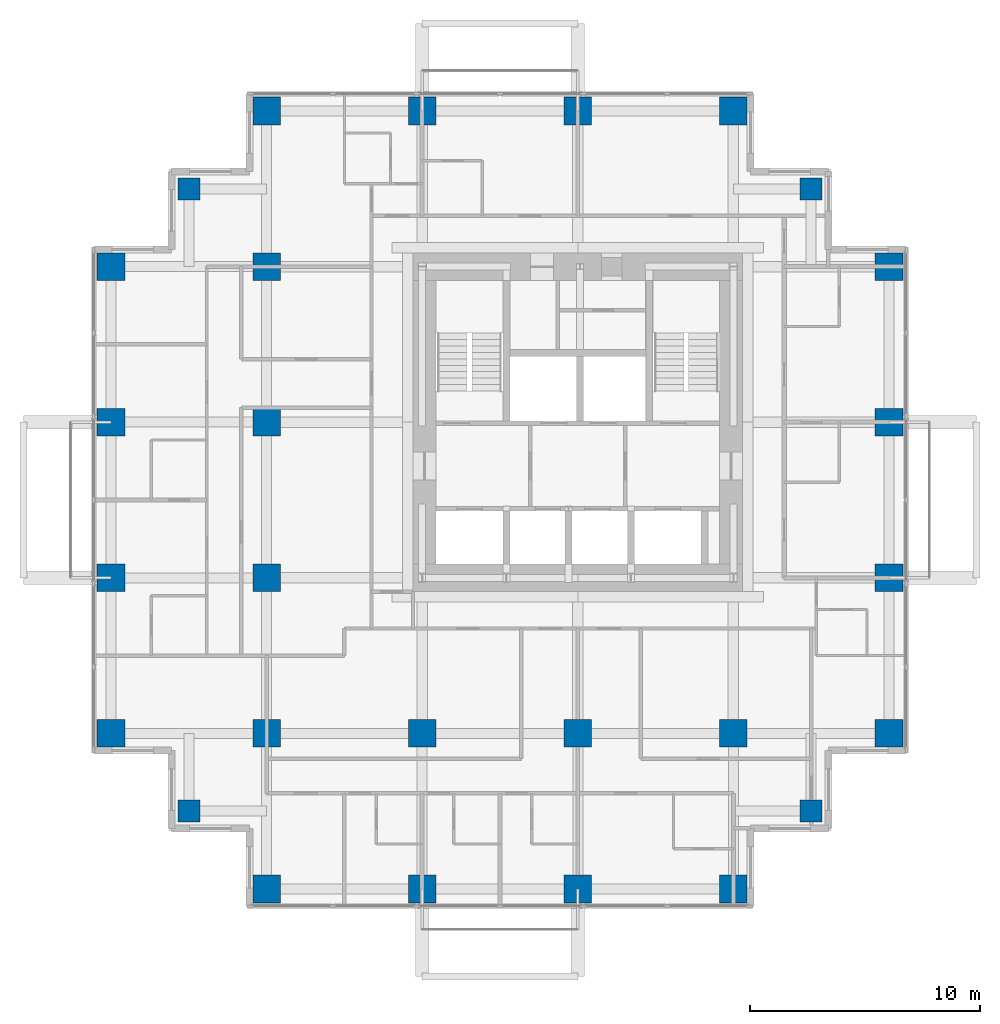
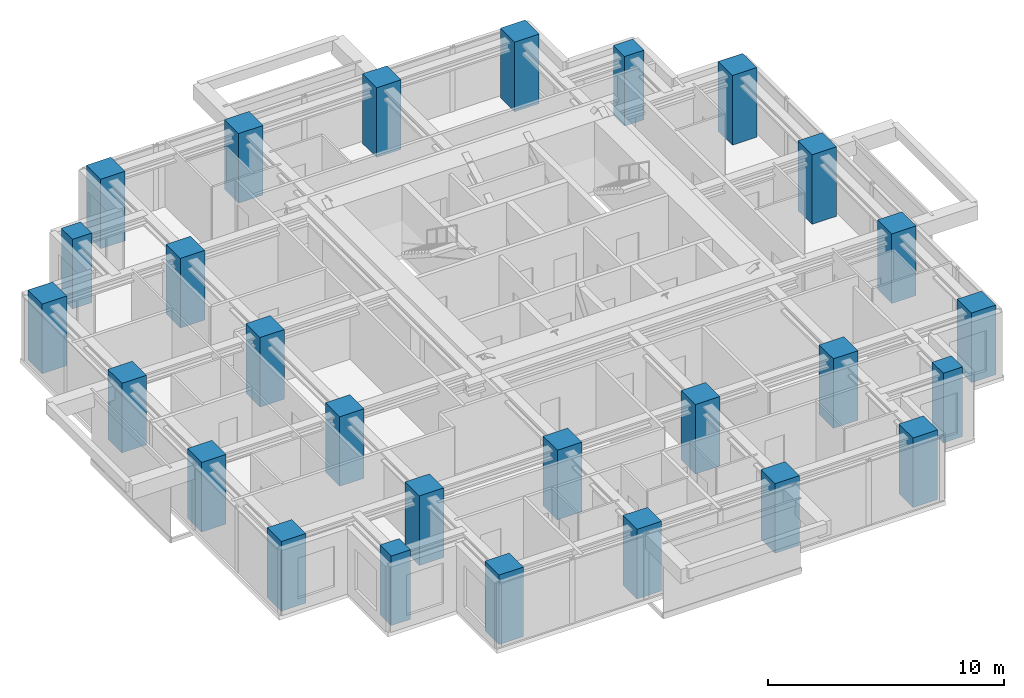
# One storey, part 1 of 10: 27 columns.
"""IFC4 building model written with IfcOpenShell, lengths in metres."""

from ifc_helpers import new_model, si_unit, direction, frame, origin, origin_2d, place, context, subcontext, project, spatial, rectangle, extrude, material, material_profile, profile_set, type_object, element, save


model = new_model("IFC4")

# Units and contexts
model_context = context("Model", 3, precision=1e-05, world=origin(), true_north=direction((0.0, 1.0)))
body_context = subcontext(model_context, "Body", "Model", "MODEL_VIEW")
ifc_project = project(units=[si_unit("LENGTHUNIT", "METRE"), si_unit("AREAUNIT", "SQUARE_METRE"), si_unit("VOLUMEUNIT", "CUBIC_METRE"), si_unit("PLANEANGLEUNIT", "RADIAN"), si_unit("MASSUNIT", "GRAM", prefix="KILO")], contexts=[model_context])

# Site, building, storey
site_placement = place(None, origin())
site = spatial("IfcSite", under=ifc_project, at=site_placement, CompositionType="ELEMENT")
building_placement = place(site_placement, origin())
building = spatial("IfcBuilding", under=site, at=building_placement, Name="Nyansa Garden Tower", CompositionType="ELEMENT")
storey_placement = place(building_placement, frame((0.0, 0.0, 174.60009765625)))
storey = spatial("IfcBuildingStorey", under=building, at=storey_placement, Name="L47", CompositionType="ELEMENT", Elevation=174.60009765625)

# Columns
ifc_material_1 = material(Name="Concrete C70/85", Category="concrete")
ifc_material_profile_1 = material_profile(ifc_material_1, rectangle(XDim=1.199951171875, YDim=1.199951171875, at=origin_2d()), Name="RC 1200x1200")
ifc_profile_set_1 = profile_set([ifc_material_profile_1], Name="Concrete C70/85")
column_type_1 = type_object("IfcColumnType", Name="Column C120 RC 1200x1200", PredefinedType="COLUMN", material=ifc_profile_set_1)
for number, where, z_axis, x_axis, name in (
    (1, (0.0, 6.75, 0.0), (0.0, 0.0, 1.0), (1.0, 0.0, 0.0), "Column 2/E L47"),
    (2, (0.0, 13.5, 0.0), (0.0, 0.0, 1.0), (1.0, 0.0, 0.0), "Column 2/F L47"),
    (3, (0.0, 20.25, 0.0), (0.0, 0.0, 1.0), (1.0, 0.0, 0.0), "Column 2/G L47"),
    (4, (0.0, 27.0, 0.0), (0.0, 0.0, 1.0), (1.0, 0.0, 0.0), "Column 2/H L47"),
    (5, (6.75, 0.0, 0.0), (0.0, 0.0, 1.0), (1.0, 0.0, 0.0), "Column 3/D L47"),
    (6, (6.75, 6.75, 0.0), (0.0, 0.0, 1.0), (1.0, 0.0, 0.0), "Column 3/E L47"),
    (7, (6.75, 13.5, 0.0), (0.0, 0.0, 1.0), (1.0, 0.0, 0.0), "Column 3/F L47"),
    (8, (6.75, 20.25, 0.0), (0.0, 0.0, 1.0), (1.0, 0.0, 0.0), "Column 3/G L47"),
    (9, (6.75, 27.0, 0.0), (0.0, 0.0, 1.0), (1.0, 0.0, 0.0), "Column 3/H L47"),
    (10, (6.75, 33.75, 0.0), (0.0, 0.0, 1.0), (1.0, 0.0, 0.0), "Column 3/J L47"),
    (11, (13.5, 0.0, 0.0), (0.0, 0.0, 1.0), (1.0, 0.0, 0.0), "Column 4/D L47"),
    (12, (13.5, 6.75, 0.0), (0.0, 0.0, 1.0), (1.0, 0.0, 0.0), "Column 4/E L47"),
    (13, (13.5, 33.75, 0.0), (0.0, 0.0, 1.0), (1.0, 0.0, 0.0), "Column 4/J L47"),
    (14, (20.25, 0.0, 0.0), (0.0, 0.0, 1.0), (1.0, 0.0, 0.0), "Column 5/D L47"),
    (15, (20.25, 6.75, 0.0), (0.0, 0.0, 1.0), (1.0, 0.0, 0.0), "Column 5/E L47"),
    (16, (20.25, 33.75, 0.0), (0.0, 0.0, 1.0), (1.0, 0.0, 0.0), "Column 5/J L47"),
    (17, (27.0, 0.0, 0.0), (0.0, 0.0, 1.0), (1.0, 0.0, 0.0), "Column 6/D L47"),
    (18, (27.0, 6.75, 0.0), (0.0, 0.0, 1.0), (1.0, 0.0, 0.0), "Column 6/E L47"),
    (19, (27.0, 33.75, 0.0), (0.0, 0.0, 1.0), (1.0, 0.0, 0.0), "Column 6/J L47"),
    (20, (33.75, 6.75, 0.0), (0.0, 0.0, 1.0), (1.0, 0.0, 0.0), "Column 7/E L47"),
    (21, (33.75, 13.5, 0.0), (0.0, 0.0, 1.0), (1.0, 0.0, 0.0), "Column 7/F L47"),
    (22, (33.75, 20.25, 0.0), (0.0, 0.0, 1.0), (1.0, 0.0, 0.0), "Column 7/G L47"),
    (23, (33.75, 27.0, 0.0), (0.0, 0.0, 1.0), (1.0, 0.0, 0.0), "Column 7/H L47"),
):
    element("IfcColumn", number, at=place(storey_placement, frame(where, z_axis=z_axis, x_axis=x_axis)), inside=storey, type_object=column_type_1, Name=name, PredefinedType="COLUMN", context=body_context, shape_type="SweptSolid", body=[
        extrude(rectangle(XDim=1.199951171875, YDim=1.199951171875, at=origin_2d()), origin(), (0.0, 0.0, 1.0), 3.599853515625),
    ])
ifc_material_2 = material(Name="Concrete C70/85", Category="concrete")
ifc_material_profile_2 = material_profile(ifc_material_2, rectangle(XDim=0.949951171875, YDim=0.949951171875, at=origin_2d()), Name="RC 950x950")
ifc_profile_set_2 = profile_set([ifc_material_profile_2], Name="Concrete C70/85")
column_type_2 = type_object("IfcColumnType", Name="Column C95 RC 950x950", PredefinedType="COLUMN", material=ifc_profile_set_2)
for number, where, z_axis, x_axis, name in (
    (24, (3.375, 3.375, 0.0), (0.0, 0.0, 1.0), (1.0, 0.0, 0.0), "Column x3.375/y3.375 L47"),
    (25, (3.375, 30.375, 0.0), (0.0, 0.0, 1.0), (1.0, 0.0, 0.0), "Column x3.375/y30.375 L47"),
    (26, (30.375, 3.375, 0.0), (0.0, 0.0, 1.0), (1.0, 0.0, 0.0), "Column x30.375/y3.375 L47"),
    (27, (30.375, 30.375, 0.0), (0.0, 0.0, 1.0), (1.0, 0.0, 0.0), "Column x30.375/y30.375 L47"),
):
    element("IfcColumn", number, at=place(storey_placement, frame(where, z_axis=z_axis, x_axis=x_axis)), inside=storey, type_object=column_type_2, Name=name, PredefinedType="COLUMN", context=body_context, shape_type="SweptSolid", body=[
        extrude(rectangle(XDim=0.949951171875, YDim=0.949951171875, at=origin_2d()), origin(), (0.0, 0.0, 1.0), 3.599853515625),
    ])

save(model, "model.ifc")
